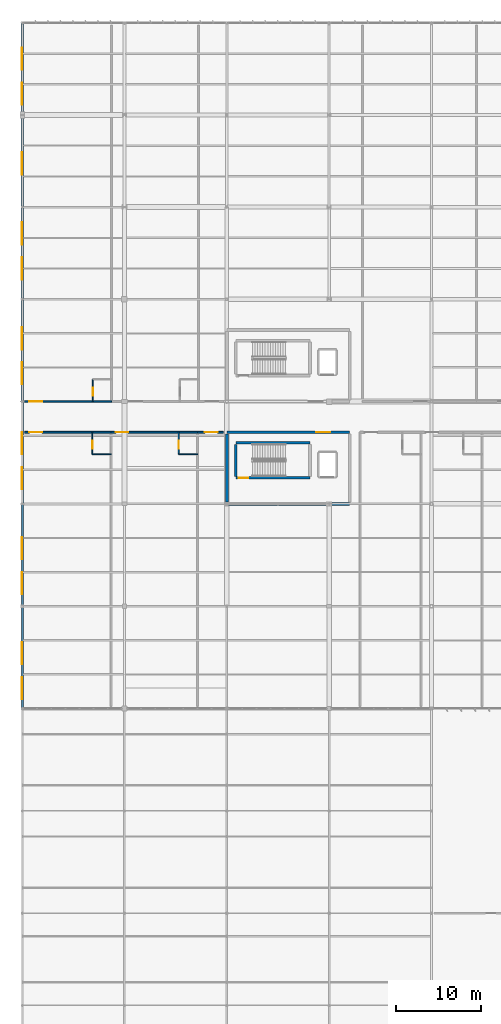
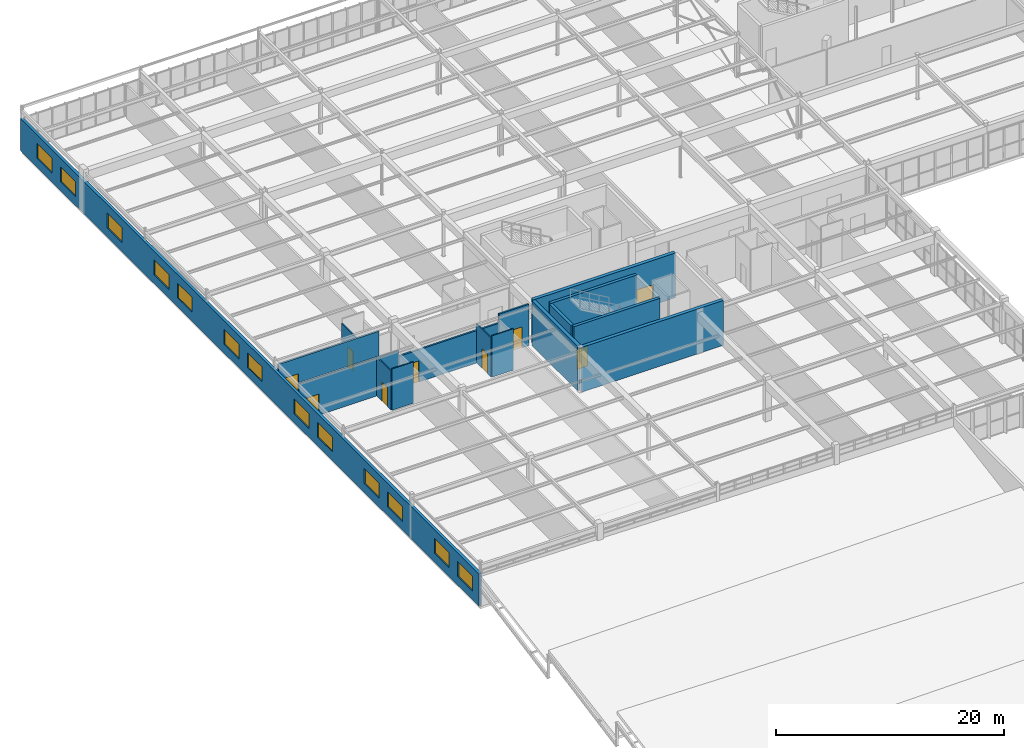
# One storey, part 193 of 226: 16 walls, 13 windows, 9 doors, 22 openings.
"""IFC4 building model written with IfcOpenShell, lengths in metres."""

from ifc_helpers import new_model, si_unit, direction, frame, frame_2d, origin, place, context, subcontext, project, spatial, rectangle, extrude, material, layer, layer_set, type_object, element, fill, save


model = new_model("IFC4")

# Units and contexts
model_context = context("Model", 3, precision=1e-05, world=origin(), true_north=direction((0.0, 1.0)))
body_context = subcontext(model_context, "Body", "Model", "MODEL_VIEW")
ifc_project = project(units=[si_unit("LENGTHUNIT", "METRE"), si_unit("AREAUNIT", "SQUARE_METRE"), si_unit("VOLUMEUNIT", "CUBIC_METRE"), si_unit("PLANEANGLEUNIT", "RADIAN"), si_unit("MASSUNIT", "GRAM", prefix="KILO")], contexts=[model_context])

# Site, building, storey
site_placement = place(None, origin())
site = spatial("IfcSite", under=ifc_project, at=site_placement, CompositionType="ELEMENT")
building_placement = place(site_placement, origin())
building = spatial("IfcBuilding", under=site, at=building_placement, Name="Tarnwether General Hospital", CompositionType="ELEMENT")
storey_placement = place(building_placement, frame((0.0, 0.0, 4.800048828125)))
storey = spatial("IfcBuildingStorey", under=building, at=storey_placement, Name="L01", CompositionType="ELEMENT", Elevation=4.800048828125)

# Wall, openings, windows
ifc_material_1 = material(Name="Precast concrete 40 MPa", Category="concrete")
ifc_layer_1 = layer(ifc_material_1, 0.280029296875)
ifc_layer_set_1 = layer_set([ifc_layer_1], Name="Precast concrete 40 MPa")
wall_type_1 = type_object("IfcWallType", Name="WL-EX280", PredefinedType="STANDARD", material=ifc_layer_set_1)
wall_1_placement = place(storey_placement, frame((0.0, 45.60009765625, 0.0), z_axis=(0.0, 0.0, 1.0), x_axis=(0.0, 1.0, 0.0)))
wall_1 = element("IfcWall", 1, at=wall_1_placement, inside=storey, type_object=wall_type_1, Name="L01 ICU West Facade EW-L01-0306", PredefinedType="STANDARD", context=body_context, shape_type="SweptSolid", body=[
    extrude(rectangle(XDim=80.39990234375, YDim=0.280029296875, at=frame_2d((40.199951171875, 0.0))), origin(), (0.0, 0.0, 1.0), 3.46484375),
])
opening_1_placement = place(wall_1_placement, frame((1.10009765625, 0.0, 0.949951171875)))
opening_1 = element("IfcOpeningElement", 2, at=opening_1_placement, cuts=wall_1, Name="Opening W-25", PredefinedType="OPENING", context=body_context, shape_type="SweptSolid", body=[
    extrude(rectangle(XDim=2.60009765625, YDim=1.60009765625, at=frame_2d((1.300048828125, 0.800048828125))), frame((0.0, 0.14990234375, 0.0), z_axis=(0.0, -1.0, 0.0), x_axis=(1.0, 0.0, 0.0)), (0.0, 0.0, 1.0), 0.300048828125),
])
opening_2_placement = place(wall_1_placement, frame((5.199951171875, 0.0, 0.949951171875)))
opening_2 = element("IfcOpeningElement", 3, at=opening_2_placement, cuts=wall_1, Name="Opening W-25", PredefinedType="OPENING", context=body_context, shape_type="SweptSolid", body=[
    extrude(rectangle(XDim=2.60009765625, YDim=1.60009765625, at=frame_2d((1.300048828125, 0.800048828125))), frame((0.0, 0.14990234375, 0.0), z_axis=(0.0, -1.0, 0.0), x_axis=(1.0, 0.0, 0.0)), (0.0, 0.0, 1.0), 0.300048828125),
])
opening_3_placement = place(wall_1_placement, frame((13.39990234375, 0.0, 0.949951171875)))
opening_3 = element("IfcOpeningElement", 4, at=opening_3_placement, cuts=wall_1, Name="Opening W-25", PredefinedType="OPENING", context=body_context, shape_type="SweptSolid", body=[
    extrude(rectangle(XDim=2.60009765625, YDim=1.60009765625, at=frame_2d((1.300048828125, 0.800048828125))), frame((0.0, 0.14990234375, 0.0), z_axis=(0.0, -1.0, 0.0), x_axis=(1.0, 0.0, 0.0)), (0.0, 0.0, 1.0), 0.300048828125),
])
opening_4_placement = place(wall_1_placement, frame((17.5, 0.0, 0.949951171875)))
opening_4 = element("IfcOpeningElement", 5, at=opening_4_placement, cuts=wall_1, Name="Opening W-25", PredefinedType="OPENING", context=body_context, shape_type="SweptSolid", body=[
    extrude(rectangle(XDim=2.60009765625, YDim=1.60009765625, at=frame_2d((1.300048828125, 0.800048828125))), frame((0.0, 0.14990234375, 0.0), z_axis=(0.0, -1.0, 0.0), x_axis=(1.0, 0.0, 0.0)), (0.0, 0.0, 1.0), 0.300048828125),
])
opening_5_placement = place(wall_1_placement, frame((25.699951171875, 0.0, 0.949951171875)))
opening_5 = element("IfcOpeningElement", 6, at=opening_5_placement, cuts=wall_1, Name="Opening W-25", PredefinedType="OPENING", context=body_context, shape_type="SweptSolid", body=[
    extrude(rectangle(XDim=2.60009765625, YDim=1.60009765625, at=frame_2d((1.300048828125, 0.800048828125))), frame((0.0, 0.14990234375, 0.0), z_axis=(0.0, -1.0, 0.0), x_axis=(1.0, 0.0, 0.0)), (0.0, 0.0, 1.0), 0.300048828125),
])
opening_6_placement = place(wall_1_placement, frame((29.800048828125, 0.0, 0.949951171875)))
opening_6 = element("IfcOpeningElement", 7, at=opening_6_placement, cuts=wall_1, Name="Opening W-25", PredefinedType="OPENING", context=body_context, shape_type="SweptSolid", body=[
    extrude(rectangle(XDim=2.60009765625, YDim=1.60009765625, at=frame_2d((1.300048828125, 0.800048828125))), frame((0.0, 0.14990234375, 0.0), z_axis=(0.0, -1.0, 0.0), x_axis=(1.0, 0.0, 0.0)), (0.0, 0.0, 1.0), 0.300048828125),
])
opening_7_placement = place(wall_1_placement, frame((38.0, 0.0, 0.949951171875)))
opening_7 = element("IfcOpeningElement", 8, at=opening_7_placement, cuts=wall_1, Name="Opening W-25", PredefinedType="OPENING", context=body_context, shape_type="SweptSolid", body=[
    extrude(rectangle(XDim=2.60009765625, YDim=1.60009765625, at=frame_2d((1.300048828125, 0.800048828125))), frame((0.0, 0.14990234375, 0.0), z_axis=(0.0, -1.0, 0.0), x_axis=(1.0, 0.0, 0.0)), (0.0, 0.0, 1.0), 0.300048828125),
])
opening_8_placement = place(wall_1_placement, frame((42.10009765625, 0.0, 0.949951171875)))
opening_8 = element("IfcOpeningElement", 9, at=opening_8_placement, cuts=wall_1, Name="Opening W-25", PredefinedType="OPENING", context=body_context, shape_type="SweptSolid", body=[
    extrude(rectangle(XDim=2.60009765625, YDim=1.60009765625, at=frame_2d((1.300048828125, 0.800048828125))), frame((0.0, 0.14990234375, 0.0), z_axis=(0.0, -1.0, 0.0), x_axis=(1.0, 0.0, 0.0)), (0.0, 0.0, 1.0), 0.300048828125),
])
opening_9_placement = place(wall_1_placement, frame((50.300048828125, 0.0, 0.949951171875)))
opening_9 = element("IfcOpeningElement", 10, at=opening_9_placement, cuts=wall_1, Name="Opening W-25", PredefinedType="OPENING", context=body_context, shape_type="SweptSolid", body=[
    extrude(rectangle(XDim=2.60009765625, YDim=1.60009765625, at=frame_2d((1.300048828125, 0.800048828125))), frame((0.0, 0.14990234375, 0.0), z_axis=(0.0, -1.0, 0.0), x_axis=(1.0, 0.0, 0.0)), (0.0, 0.0, 1.0), 0.300048828125),
])
opening_10_placement = place(wall_1_placement, frame((54.39990234375, 0.0, 0.949951171875)))
opening_10 = element("IfcOpeningElement", 11, at=opening_10_placement, cuts=wall_1, Name="Opening W-25", PredefinedType="OPENING", context=body_context, shape_type="SweptSolid", body=[
    extrude(rectangle(XDim=2.60009765625, YDim=1.60009765625, at=frame_2d((1.300048828125, 0.800048828125))), frame((0.0, 0.14990234375, 0.0), z_axis=(0.0, -1.0, 0.0), x_axis=(1.0, 0.0, 0.0)), (0.0, 0.0, 1.0), 0.300048828125),
])
opening_11_placement = place(wall_1_placement, frame((62.60009765625, 0.0, 0.949951171875)))
opening_11 = element("IfcOpeningElement", 12, at=opening_11_placement, cuts=wall_1, Name="Opening W-25", PredefinedType="OPENING", context=body_context, shape_type="SweptSolid", body=[
    extrude(rectangle(XDim=2.60009765625, YDim=1.60009765625, at=frame_2d((1.300048828125, 0.800048828125))), frame((0.0, 0.14990234375, 0.0), z_axis=(0.0, -1.0, 0.0), x_axis=(1.0, 0.0, 0.0)), (0.0, 0.0, 1.0), 0.300048828125),
])
opening_12_placement = place(wall_1_placement, frame((70.800048828125, 0.0, 0.949951171875)))
opening_12 = element("IfcOpeningElement", 13, at=opening_12_placement, cuts=wall_1, Name="Opening W-25", PredefinedType="OPENING", context=body_context, shape_type="SweptSolid", body=[
    extrude(rectangle(XDim=2.60009765625, YDim=1.60009765625, at=frame_2d((1.300048828125, 0.800048828125))), frame((0.0, 0.14990234375, 0.0), z_axis=(0.0, -1.0, 0.0), x_axis=(1.0, 0.0, 0.0)), (0.0, 0.0, 1.0), 0.300048828125),
])
opening_13_placement = place(wall_1_placement, frame((74.89990234375, 0.0, 0.949951171875)))
opening_13 = element("IfcOpeningElement", 14, at=opening_13_placement, cuts=wall_1, Name="Opening W-25", PredefinedType="OPENING", context=body_context, shape_type="SweptSolid", body=[
    extrude(rectangle(XDim=2.60009765625, YDim=1.60009765625, at=frame_2d((1.300048828125, 0.800048828125))), frame((0.0, 0.14990234375, 0.0), z_axis=(0.0, -1.0, 0.0), x_axis=(1.0, 0.0, 0.0)), (0.0, 0.0, 1.0), 0.300048828125),
])
ifc_material_2 = material(Name="Double glazed low-E glass", Category="glass")
window_type = type_object("IfcWindowType", Name="WN-25", PartitioningType="TRIPLE_PANEL_VERTICAL", PredefinedType="WINDOW", material=ifc_material_2)
window_1_placement = place(opening_1_placement, origin())
window_1 = element("IfcWindow", 15, at=window_1_placement, inside=storey, type_object=window_type, Name="Window WN-L01-0086", OverallHeight=1.60009765625, OverallWidth=2.60009765625, PartitioningType="TRIPLE_PANEL_VERTICAL", PredefinedType="WINDOW", context=body_context, shape_type="SweptSolid", body=[
    extrude(rectangle(XDim=2.60009765625, YDim=1.60009765625, at=frame_2d((1.300048828125, 0.800048828125))), frame((0.0, 0.030029296875, 0.0), z_axis=(0.0, -1.0, 0.0), x_axis=(1.0, 0.0, 0.0)), (0.0, 0.0, 1.0), 0.06005859375),
])
fill(opening_1, window_1)
window_2_placement = place(opening_2_placement, origin())
window_2 = element("IfcWindow", 16, at=window_2_placement, inside=storey, type_object=window_type, Name="Window WN-L01-0087", OverallHeight=1.60009765625, OverallWidth=2.60009765625, PartitioningType="TRIPLE_PANEL_VERTICAL", PredefinedType="WINDOW", context=body_context, shape_type="SweptSolid", body=[
    extrude(rectangle(XDim=2.60009765625, YDim=1.60009765625, at=frame_2d((1.300048828125, 0.800048828125))), frame((0.0, 0.030029296875, 0.0), z_axis=(0.0, -1.0, 0.0), x_axis=(1.0, 0.0, 0.0)), (0.0, 0.0, 1.0), 0.06005859375),
])
fill(opening_2, window_2)
window_3_placement = place(opening_3_placement, origin())
window_3 = element("IfcWindow", 17, at=window_3_placement, inside=storey, type_object=window_type, Name="Window WN-L01-0088", OverallHeight=1.60009765625, OverallWidth=2.60009765625, PartitioningType="TRIPLE_PANEL_VERTICAL", PredefinedType="WINDOW", context=body_context, shape_type="SweptSolid", body=[
    extrude(rectangle(XDim=2.60009765625, YDim=1.60009765625, at=frame_2d((1.300048828125, 0.800048828125))), frame((0.0, 0.030029296875, 0.0), z_axis=(0.0, -1.0, 0.0), x_axis=(1.0, 0.0, 0.0)), (0.0, 0.0, 1.0), 0.06005859375),
])
fill(opening_3, window_3)
window_4_placement = place(opening_4_placement, origin())
window_4 = element("IfcWindow", 18, at=window_4_placement, inside=storey, type_object=window_type, Name="Window WN-L01-0089", OverallHeight=1.60009765625, OverallWidth=2.60009765625, PartitioningType="TRIPLE_PANEL_VERTICAL", PredefinedType="WINDOW", context=body_context, shape_type="SweptSolid", body=[
    extrude(rectangle(XDim=2.60009765625, YDim=1.60009765625, at=frame_2d((1.300048828125, 0.800048828125))), frame((0.0, 0.030029296875, 0.0), z_axis=(0.0, -1.0, 0.0), x_axis=(1.0, 0.0, 0.0)), (0.0, 0.0, 1.0), 0.06005859375),
])
fill(opening_4, window_4)
window_5_placement = place(opening_5_placement, origin())
window_5 = element("IfcWindow", 19, at=window_5_placement, inside=storey, type_object=window_type, Name="Window WN-L01-0090", OverallHeight=1.60009765625, OverallWidth=2.60009765625, PartitioningType="TRIPLE_PANEL_VERTICAL", PredefinedType="WINDOW", context=body_context, shape_type="SweptSolid", body=[
    extrude(rectangle(XDim=2.60009765625, YDim=1.60009765625, at=frame_2d((1.300048828125, 0.800048828125))), frame((0.0, 0.030029296875, 0.0), z_axis=(0.0, -1.0, 0.0), x_axis=(1.0, 0.0, 0.0)), (0.0, 0.0, 1.0), 0.06005859375),
])
fill(opening_5, window_5)
window_6_placement = place(opening_6_placement, origin())
window_6 = element("IfcWindow", 20, at=window_6_placement, inside=storey, type_object=window_type, Name="Window WN-L01-0091", OverallHeight=1.60009765625, OverallWidth=2.60009765625, PartitioningType="TRIPLE_PANEL_VERTICAL", PredefinedType="WINDOW", context=body_context, shape_type="SweptSolid", body=[
    extrude(rectangle(XDim=2.60009765625, YDim=1.60009765625, at=frame_2d((1.300048828125, 0.800048828125))), frame((0.0, 0.030029296875, 0.0), z_axis=(0.0, -1.0, 0.0), x_axis=(1.0, 0.0, 0.0)), (0.0, 0.0, 1.0), 0.06005859375),
])
fill(opening_6, window_6)
window_7_placement = place(opening_7_placement, origin())
window_7 = element("IfcWindow", 21, at=window_7_placement, inside=storey, type_object=window_type, Name="Window WN-L01-0092", OverallHeight=1.60009765625, OverallWidth=2.60009765625, PartitioningType="TRIPLE_PANEL_VERTICAL", PredefinedType="WINDOW", context=body_context, shape_type="SweptSolid", body=[
    extrude(rectangle(XDim=2.60009765625, YDim=1.60009765625, at=frame_2d((1.300048828125, 0.800048828125))), frame((0.0, 0.030029296875, 0.0), z_axis=(0.0, -1.0, 0.0), x_axis=(1.0, 0.0, 0.0)), (0.0, 0.0, 1.0), 0.06005859375),
])
fill(opening_7, window_7)
window_8_placement = place(opening_8_placement, origin())
window_8 = element("IfcWindow", 22, at=window_8_placement, inside=storey, type_object=window_type, Name="Window WN-L01-0093", OverallHeight=1.60009765625, OverallWidth=2.60009765625, PartitioningType="TRIPLE_PANEL_VERTICAL", PredefinedType="WINDOW", context=body_context, shape_type="SweptSolid", body=[
    extrude(rectangle(XDim=2.60009765625, YDim=1.60009765625, at=frame_2d((1.300048828125, 0.800048828125))), frame((0.0, 0.030029296875, 0.0), z_axis=(0.0, -1.0, 0.0), x_axis=(1.0, 0.0, 0.0)), (0.0, 0.0, 1.0), 0.06005859375),
])
fill(opening_8, window_8)
window_9_placement = place(opening_9_placement, origin())
window_9 = element("IfcWindow", 23, at=window_9_placement, inside=storey, type_object=window_type, Name="Window WN-L01-0094", OverallHeight=1.60009765625, OverallWidth=2.60009765625, PartitioningType="TRIPLE_PANEL_VERTICAL", PredefinedType="WINDOW", context=body_context, shape_type="SweptSolid", body=[
    extrude(rectangle(XDim=2.60009765625, YDim=1.60009765625, at=frame_2d((1.300048828125, 0.800048828125))), frame((0.0, 0.030029296875, 0.0), z_axis=(0.0, -1.0, 0.0), x_axis=(1.0, 0.0, 0.0)), (0.0, 0.0, 1.0), 0.06005859375),
])
fill(opening_9, window_9)
window_10_placement = place(opening_10_placement, origin())
window_10 = element("IfcWindow", 24, at=window_10_placement, inside=storey, type_object=window_type, Name="Window WN-L01-0095", OverallHeight=1.60009765625, OverallWidth=2.60009765625, PartitioningType="TRIPLE_PANEL_VERTICAL", PredefinedType="WINDOW", context=body_context, shape_type="SweptSolid", body=[
    extrude(rectangle(XDim=2.60009765625, YDim=1.60009765625, at=frame_2d((1.300048828125, 0.800048828125))), frame((0.0, 0.030029296875, 0.0), z_axis=(0.0, -1.0, 0.0), x_axis=(1.0, 0.0, 0.0)), (0.0, 0.0, 1.0), 0.06005859375),
])
fill(opening_10, window_10)
window_11_placement = place(opening_11_placement, origin())
window_11 = element("IfcWindow", 25, at=window_11_placement, inside=storey, type_object=window_type, Name="Window WN-L01-0096", OverallHeight=1.60009765625, OverallWidth=2.60009765625, PartitioningType="TRIPLE_PANEL_VERTICAL", PredefinedType="WINDOW", context=body_context, shape_type="SweptSolid", body=[
    extrude(rectangle(XDim=2.60009765625, YDim=1.60009765625, at=frame_2d((1.300048828125, 0.800048828125))), frame((0.0, 0.030029296875, 0.0), z_axis=(0.0, -1.0, 0.0), x_axis=(1.0, 0.0, 0.0)), (0.0, 0.0, 1.0), 0.06005859375),
])
fill(opening_11, window_11)
window_12_placement = place(opening_12_placement, origin())
window_12 = element("IfcWindow", 26, at=window_12_placement, inside=storey, type_object=window_type, Name="Window WN-L01-0097", OverallHeight=1.60009765625, OverallWidth=2.60009765625, PartitioningType="TRIPLE_PANEL_VERTICAL", PredefinedType="WINDOW", context=body_context, shape_type="SweptSolid", body=[
    extrude(rectangle(XDim=2.60009765625, YDim=1.60009765625, at=frame_2d((1.300048828125, 0.800048828125))), frame((0.0, 0.030029296875, 0.0), z_axis=(0.0, -1.0, 0.0), x_axis=(1.0, 0.0, 0.0)), (0.0, 0.0, 1.0), 0.06005859375),
])
fill(opening_12, window_12)
window_13_placement = place(opening_13_placement, origin())
window_13 = element("IfcWindow", 27, at=window_13_placement, inside=storey, type_object=window_type, Name="Window WN-L01-0098", OverallHeight=1.60009765625, OverallWidth=2.60009765625, PartitioningType="TRIPLE_PANEL_VERTICAL", PredefinedType="WINDOW", context=body_context, shape_type="SweptSolid", body=[
    extrude(rectangle(XDim=2.60009765625, YDim=1.60009765625, at=frame_2d((1.300048828125, 0.800048828125))), frame((0.0, 0.030029296875, 0.0), z_axis=(0.0, -1.0, 0.0), x_axis=(1.0, 0.0, 0.0)), (0.0, 0.0, 1.0), 0.06005859375),
])
fill(opening_13, window_13)

# Wall, opening, door
ifc_material_3 = material(Name="Gypsum plasterboard")
ifc_layer_2 = layer(ifc_material_3, 0.1201171875)
ifc_layer_set_2 = layer_set([ifc_layer_2], Name="Gypsum plasterboard")
wall_type_2 = type_object("IfcWallType", Name="WL-PT120", PredefinedType="PARTITIONING", material=ifc_layer_set_2)
wall_2_placement = place(storey_placement, frame((8.23193359375, 75.39990234375, 0.0), z_axis=(0.0, 0.0, 1.0), x_axis=(0.0, 1.0, 0.0)))
wall_2 = element("IfcWall", 28, at=wall_2_placement, inside=storey, type_object=wall_type_2, Name="Interior Partition PT-L01-0163", PredefinedType="PARTITIONING", context=body_context, shape_type="SweptSolid", body=[
    extrude(rectangle(XDim=2.60009765625, YDim=0.1201171875, at=frame_2d((1.300048828125, 0.0))), origin(), (0.0, 0.0, 1.0), 4.158935546875),
])
opening_14_placement = place(wall_2_placement, frame((0.64990234375, 0.0, 0.0)))
opening_14 = element("IfcOpeningElement", 29, at=opening_14_placement, cuts=wall_2, Name="Opening D-10", PredefinedType="OPENING", context=body_context, shape_type="SweptSolid", body=[
    extrude(rectangle(XDim=0.9599609375, YDim=2.06005859375, at=frame_2d((0.47998046875, 1.030029296875))), frame((0.0, 0.070068359375, 0.0), z_axis=(0.0, -1.0, 0.0), x_axis=(1.0, 0.0, 0.0)), (0.0, 0.0, 1.0), 0.14013671875),
])
ifc_material_4 = material(Name="Anodised aluminium", Category="aluminium")
door_type_1 = type_object("IfcDoorType", Name="DR-IN10", OperationType="NOTDEFINED", PredefinedType="DOOR", material=ifc_material_4)
door_1_placement = place(opening_14_placement, origin())
door_1 = element("IfcDoor", 30, at=door_1_placement, inside=storey, type_object=door_type_1, Name="Interior Door DR-L01-0091", OperationType="SINGLE_SWING_LEFT", OverallHeight=2.06005859375, OverallWidth=0.9599609375, PredefinedType="DOOR", context=body_context, shape_type="SweptSolid", body=[
    extrude(rectangle(XDim=0.9599609375, YDim=2.06005859375, at=frame_2d((0.47998046875, 1.030029296875))), frame((0.0, 0.02490234375, 0.0), z_axis=(0.0, -1.0, 0.0), x_axis=(1.0, 0.0, 0.0)), (0.0, 0.0, 1.0), 0.050048828125),
])
fill(opening_14, door_1)

# Wall
wall_3_placement = place(storey_placement, frame((8.23193359375, 75.39990234375, 0.0), z_axis=(0.0, 0.0, 1.0), x_axis=(1.0, 0.0, 0.0)))
element("IfcWall", 31, at=wall_3_placement, inside=storey, type_object=wall_type_2, Name="Interior Partition PT-L01-0164", PredefinedType="PARTITIONING", context=body_context, shape_type="SweptSolid", body=[
    extrude(rectangle(XDim=2.199951171875, YDim=0.1201171875, at=frame_2d((1.10009765625, 0.0))), origin(), (0.0, 0.0, 1.0), 4.429931640625),
])

# Wall, opening, door
wall_4_placement = place(storey_placement, frame((18.364013671875, 75.39990234375, 0.0), z_axis=(0.0, 0.0, 1.0), x_axis=(0.0, 1.0, 0.0)))
wall_4 = element("IfcWall", 32, at=wall_4_placement, inside=storey, type_object=wall_type_2, Name="Interior Partition PT-L01-0167", PredefinedType="PARTITIONING", context=body_context, shape_type="SweptSolid", body=[
    extrude(rectangle(XDim=2.60009765625, YDim=0.1201171875, at=frame_2d((1.300048828125, 0.0))), origin(), (0.0, 0.0, 1.0), 4.162841796875),
])
opening_15_placement = place(wall_4_placement, frame((0.64990234375, 0.0, 0.0)))
opening_15 = element("IfcOpeningElement", 33, at=opening_15_placement, cuts=wall_4, Name="Opening D-10", PredefinedType="OPENING", context=body_context, shape_type="SweptSolid", body=[
    extrude(rectangle(XDim=0.9599609375, YDim=2.06005859375, at=frame_2d((0.47998046875, 1.030029296875))), frame((0.0, 0.070068359375, 0.0), z_axis=(0.0, -1.0, 0.0), x_axis=(1.0, 0.0, 0.0)), (0.0, 0.0, 1.0), 0.14013671875),
])
door_2_placement = place(opening_15_placement, origin())
door_2 = element("IfcDoor", 34, at=door_2_placement, inside=storey, type_object=door_type_1, Name="Interior Door DR-L01-0093", OperationType="SINGLE_SWING_LEFT", OverallHeight=2.06005859375, OverallWidth=0.9599609375, PredefinedType="DOOR", context=body_context, shape_type="SweptSolid", body=[
    extrude(rectangle(XDim=0.9599609375, YDim=2.06005859375, at=frame_2d((0.47998046875, 1.030029296875))), frame((0.0, 0.02490234375, 0.0), z_axis=(0.0, -1.0, 0.0), x_axis=(1.0, 0.0, 0.0)), (0.0, 0.0, 1.0), 0.050048828125),
])
fill(opening_15, door_2)

# Wall
wall_5_placement = place(storey_placement, frame((18.364013671875, 75.39990234375, 0.0), z_axis=(0.0, 0.0, 1.0), x_axis=(1.0, 0.0, 0.0)))
element("IfcWall", 35, at=wall_5_placement, inside=storey, type_object=wall_type_2, Name="Interior Partition PT-L01-0168", PredefinedType="PARTITIONING", context=body_context, shape_type="SweptSolid", body=[
    extrude(rectangle(XDim=2.199951171875, YDim=0.1201171875, at=frame_2d((1.10009765625, 0.0))), origin(), (0.0, 0.0, 1.0), 4.429931640625),
])

# Wall, opening, door
wall_6_placement = place(storey_placement, frame((8.300048828125, 81.60009765625, 0.0), z_axis=(0.0, 0.0, 1.0), x_axis=(0.0, 1.0, 0.0)))
wall_6 = element("IfcWall", 36, at=wall_6_placement, inside=storey, type_object=wall_type_2, Name="Interior Partition PT-L01-0182", PredefinedType="PARTITIONING", context=body_context, shape_type="SweptSolid", body=[
    extrude(rectangle(XDim=2.599853515625, YDim=0.1201171875, at=frame_2d((1.2998046875, 0.0))), origin(), (0.0, 0.0, 1.0), 3.954833984375),
])
opening_16_placement = place(wall_6_placement, frame((0.64990234375, 0.0, 0.0)))
opening_16 = element("IfcOpeningElement", 37, at=opening_16_placement, cuts=wall_6, Name="Opening D-10", PredefinedType="OPENING", context=body_context, shape_type="SweptSolid", body=[
    extrude(rectangle(XDim=0.9599609375, YDim=2.06005859375, at=frame_2d((0.47998046875, 1.030029296875))), frame((0.0, 0.070068359375, 0.0), z_axis=(0.0, -1.0, 0.0), x_axis=(1.0, 0.0, 0.0)), (0.0, 0.0, 1.0), 0.14013671875),
])
door_3_placement = place(opening_16_placement, origin())
door_3 = element("IfcDoor", 38, at=door_3_placement, inside=storey, type_object=door_type_1, Name="Interior Door DR-L01-0101", OperationType="SINGLE_SWING_LEFT", OverallHeight=2.06005859375, OverallWidth=0.9599609375, PredefinedType="DOOR", context=body_context, shape_type="SweptSolid", body=[
    extrude(rectangle(XDim=0.9599609375, YDim=2.06005859375, at=frame_2d((0.47998046875, 1.030029296875))), frame((0.0, 0.02490234375, 0.0), z_axis=(0.0, -1.0, 0.0), x_axis=(1.0, 0.0, 0.0)), (0.0, 0.0, 1.0), 0.050048828125),
])
fill(opening_16, door_3)

ifc_material_5 = material(Name="Gypsum plasterboard")
ifc_layer_3 = layer(ifc_material_5, 0.179931640625)
ifc_layer_set_3 = layer_set([ifc_layer_3], Name="Gypsum plasterboard")
wall_type_3 = type_object("IfcWallType", Name="WL-PT180", PredefinedType="PARTITIONING", material=ifc_layer_set_3)
wall_7_placement = place(storey_placement, frame((0.300048828125, 78.0, 0.0), z_axis=(0.0, 0.0, 1.0), x_axis=(1.0, 0.0, 0.0)))
wall_7 = element("IfcWall", 39, at=wall_7_placement, inside=storey, type_object=wall_type_3, Name="Interior Partition PT-L01-0165", PredefinedType="PARTITIONING", context=body_context, shape_type="SweptSolid", body=[
    extrude(rectangle(XDim=10.1318359375, YDim=0.179931640625, at=frame_2d((5.06591796875, 0.0))), origin(), (0.0, 0.0, 1.0), 4.06494140625),
])
opening_17_placement = place(wall_7_placement, frame((0.550048828125, 0.0, 0.0)))
opening_17 = element("IfcOpeningElement", 40, at=opening_17_placement, cuts=wall_7, Name="Opening SD-03", PredefinedType="OPENING", context=body_context, shape_type="SweptSolid", body=[
    extrude(rectangle(XDim=1.47998046875, YDim=2.260009765625, at=frame_2d((0.739990234375, 1.1298828125))), frame((0.0, 0.10009765625, 0.0), z_axis=(0.0, -1.0, 0.0), x_axis=(1.0, 0.0, 0.0)), (0.0, 0.0, 1.0), 0.199951171875),
])
ifc_material_6 = material(Name="Anodised aluminium", Category="aluminium")
door_type_2 = type_object("IfcDoorType", Name="DR-OR03", OperationType="NOTDEFINED", PredefinedType="DOOR", material=ifc_material_6)
door_4_placement = place(opening_17_placement, origin())
door_4 = element("IfcDoor", 41, at=door_4_placement, inside=storey, type_object=door_type_2, Name="Interior Door DR-L01-0092", OperationType="SLIDING_TO_LEFT", OverallHeight=2.260009765625, OverallWidth=1.47998046875, PredefinedType="DOOR", context=body_context, shape_type="SweptSolid", body=[
    extrude(rectangle(XDim=1.47998046875, YDim=2.260009765625, at=frame_2d((0.739990234375, 1.1298828125))), frame((0.0, 0.02490234375, 0.0), z_axis=(0.0, -1.0, 0.0), x_axis=(1.0, 0.0, 0.0)), (0.0, 0.0, 1.0), 0.050048828125),
])
fill(opening_17, door_4)

wall_8_placement = place(storey_placement, frame((10.431884765625, 78.0, 0.0), z_axis=(0.0, 0.0, 1.0), x_axis=(1.0, 0.0, 0.0)))
wall_8 = element("IfcWall", 42, at=wall_8_placement, inside=storey, type_object=wall_type_3, Name="Interior Partition PT-L01-0169", PredefinedType="PARTITIONING", context=body_context, shape_type="SweptSolid", body=[
    extrude(rectangle(XDim=10.132080078125, YDim=0.179931640625, at=frame_2d((5.06591796875, 0.0))), origin(), (0.0, 0.0, 1.0), 3.46484375),
])
opening_18_placement = place(wall_8_placement, frame((0.550048828125, 0.0, 0.0)))
opening_18 = element("IfcOpeningElement", 43, at=opening_18_placement, cuts=wall_8, Name="Opening SD-03", PredefinedType="OPENING", context=body_context, shape_type="SweptSolid", body=[
    extrude(rectangle(XDim=1.47998046875, YDim=2.260009765625, at=frame_2d((0.739990234375, 1.1298828125))), frame((0.0, 0.10009765625, 0.0), z_axis=(0.0, -1.0, 0.0), x_axis=(1.0, 0.0, 0.0)), (0.0, 0.0, 1.0), 0.199951171875),
])
door_5_placement = place(opening_18_placement, origin())
door_5 = element("IfcDoor", 44, at=door_5_placement, inside=storey, type_object=door_type_2, Name="Interior Door DR-L01-0094", OperationType="SLIDING_TO_LEFT", OverallHeight=2.260009765625, OverallWidth=1.47998046875, PredefinedType="DOOR", context=body_context, shape_type="SweptSolid", body=[
    extrude(rectangle(XDim=1.47998046875, YDim=2.260009765625, at=frame_2d((0.739990234375, 1.1298828125))), frame((0.0, 0.02490234375, 0.0), z_axis=(0.0, -1.0, 0.0), x_axis=(1.0, 0.0, 0.0)), (0.0, 0.0, 1.0), 0.050048828125),
])
fill(opening_18, door_5)

wall_9_placement = place(storey_placement, frame((20.56396484375, 78.0, 0.0), z_axis=(0.0, 0.0, 1.0), x_axis=(1.0, 0.0, 0.0)))
wall_9 = element("IfcWall", 45, at=wall_9_placement, inside=storey, type_object=wall_type_3, Name="Interior Partition PT-L01-0171", PredefinedType="PARTITIONING", context=body_context, shape_type="SweptSolid", body=[
    extrude(rectangle(XDim=3.0361328125, YDim=0.179931640625, at=frame_2d((1.51806640625, 0.0))), origin(), (0.0, 0.0, 1.0), 4.429931640625),
])
opening_19_placement = place(wall_9_placement, frame((0.867919921875, 0.0, 0.0)))
opening_19 = element("IfcOpeningElement", 46, at=opening_19_placement, cuts=wall_9, Name="Opening SD-03", PredefinedType="OPENING", context=body_context, shape_type="SweptSolid", body=[
    extrude(rectangle(XDim=1.47998046875, YDim=2.260009765625, at=frame_2d((0.739990234375, 1.1298828125))), frame((0.0, 0.10009765625, 0.0), z_axis=(0.0, -1.0, 0.0), x_axis=(1.0, 0.0, 0.0)), (0.0, 0.0, 1.0), 0.199951171875),
])
door_6_placement = place(opening_19_placement, origin())
door_6 = element("IfcDoor", 47, at=door_6_placement, inside=storey, type_object=door_type_2, Name="Interior Door DR-L01-0095", OperationType="SLIDING_TO_LEFT", OverallHeight=2.260009765625, OverallWidth=1.47998046875, PredefinedType="DOOR", context=body_context, shape_type="SweptSolid", body=[
    extrude(rectangle(XDim=1.47998046875, YDim=2.260009765625, at=frame_2d((0.739990234375, 1.1298828125))), frame((0.0, 0.02490234375, 0.0), z_axis=(0.0, -1.0, 0.0), x_axis=(1.0, 0.0, 0.0)), (0.0, 0.0, 1.0), 0.050048828125),
])
fill(opening_19, door_6)

wall_10_placement = place(storey_placement, frame((0.300048828125, 81.60009765625, 0.0), z_axis=(0.0, 0.0, 1.0), x_axis=(1.0, 0.0, 0.0)))
wall_10 = element("IfcWall", 48, at=wall_10_placement, inside=storey, type_object=wall_type_3, Name="Interior Partition PT-L01-0184", PredefinedType="PARTITIONING", context=body_context, shape_type="SweptSolid", body=[
    extrude(rectangle(XDim=10.199951171875, YDim=0.179931640625, at=frame_2d((5.10009765625, 0.0))), origin(), (0.0, 0.0, 1.0), 3.954833984375),
])
opening_20_placement = place(wall_10_placement, frame((0.550048828125, 0.0, 0.0)))
opening_20 = element("IfcOpeningElement", 49, at=opening_20_placement, cuts=wall_10, Name="Opening SD-03", PredefinedType="OPENING", context=body_context, shape_type="SweptSolid", body=[
    extrude(rectangle(XDim=1.47998046875, YDim=2.260009765625, at=frame_2d((0.739990234375, 1.1298828125))), frame((0.0, 0.10009765625, 0.0), z_axis=(0.0, -1.0, 0.0), x_axis=(1.0, 0.0, 0.0)), (0.0, 0.0, 1.0), 0.199951171875),
])
door_7_placement = place(opening_20_placement, origin())
door_7 = element("IfcDoor", 50, at=door_7_placement, inside=storey, type_object=door_type_2, Name="Interior Door DR-L01-0102", OperationType="SLIDING_TO_LEFT", OverallHeight=2.260009765625, OverallWidth=1.47998046875, PredefinedType="DOOR", context=body_context, shape_type="SweptSolid", body=[
    extrude(rectangle(XDim=1.47998046875, YDim=2.260009765625, at=frame_2d((0.739990234375, 1.1298828125))), frame((0.0, 0.02490234375, 0.0), z_axis=(0.0, -1.0, 0.0), x_axis=(1.0, 0.0, 0.0)), (0.0, 0.0, 1.0), 0.050048828125),
])
fill(opening_20, door_7)

ifc_material_7 = material(Name="Concrete 50 MPa", Category="concrete")
ifc_layer_4 = layer(ifc_material_7, 0.300048828125)
ifc_layer_set_4 = layer_set([ifc_layer_4], Name="Concrete 50 MPa")
wall_type_4 = type_object("IfcWallType", Name="WL-SW300", PredefinedType="SHEAR", material=ifc_layer_set_4)
wall_11_placement = place(storey_placement, frame((25.050048828125, 72.64990234375, 0.0), z_axis=(0.0, 0.0, 1.0), x_axis=(1.0, 0.0, 0.0)))
wall_11 = element("IfcWall", 51, at=wall_11_placement, inside=storey, type_object=wall_type_4, Name="Stairwell Shear Wall STW-ST-03-L01-B", PredefinedType="SHEAR", context=body_context, shape_type="SweptSolid", body=[
    extrude(rectangle(XDim=8.699951171875, YDim=0.300048828125, at=frame_2d((4.35009765625, 0.0))), origin(), (0.0, 0.0, 1.0), 4.800048828125),
])
opening_21_placement = place(wall_11_placement, frame((0.35009765625, 0.0, 0.0)))
opening_21 = element("IfcOpeningElement", 52, at=opening_21_placement, cuts=wall_11, Name="Opening FD-06", PredefinedType="OPENING", context=body_context, shape_type="SweptSolid", body=[
    extrude(rectangle(XDim=1.10009765625, YDim=2.14990234375, at=frame_2d((0.550048828125, 1.074951171875))), frame((0.0, 0.16015625, 0.0), z_axis=(0.0, -1.0, 0.0), x_axis=(1.0, 0.0, 0.0)), (0.0, 0.0, 1.0), 0.320068359375),
])
ifc_material_8 = material(Name="Anodised aluminium", Category="aluminium")
door_type_3 = type_object("IfcDoorType", Name="DR-FD06", OperationType="NOTDEFINED", PredefinedType="DOOR", material=ifc_material_8)
door_8_placement = place(opening_21_placement, origin())
door_8 = element("IfcDoor", 53, at=door_8_placement, inside=storey, type_object=door_type_3, Name="Stairwell ST-03 Safe-Path Fire Door L01", OperationType="SINGLE_SWING_LEFT", OverallHeight=2.14990234375, OverallWidth=1.10009765625, PredefinedType="DOOR", context=body_context, shape_type="SweptSolid", body=[
    extrude(rectangle(XDim=1.10009765625, YDim=2.14990234375, at=frame_2d((0.550048828125, 1.074951171875))), frame((0.0, 0.02490234375, 0.0), z_axis=(0.0, -1.0, 0.0), x_axis=(1.0, 0.0, 0.0)), (0.0, 0.0, 1.0), 0.050048828125),
])
fill(opening_21, door_8)

# Walls
wall_12_placement = place(storey_placement, frame((33.75, 76.75, 0.0), z_axis=(0.0, 0.0, 1.0), x_axis=(-1.0, 0.0, 0.0)))
element("IfcWall", 54, at=wall_12_placement, inside=storey, type_object=wall_type_4, Name="Stairwell Shear Wall STW-ST-03-L01-N", PredefinedType="SHEAR", context=body_context, shape_type="SweptSolid", body=[
    extrude(rectangle(XDim=8.699951171875, YDim=0.300048828125, at=frame_2d((4.35009765625, 0.0))), origin(), (0.0, 0.0, 1.0), 4.800048828125),
])
wall_13_placement = place(storey_placement, frame((25.050048828125, 72.820068359375, 0.0), z_axis=(0.0, 0.0, 1.0), x_axis=(0.0, 1.0, 0.0)))
element("IfcWall", 55, at=wall_13_placement, inside=storey, type_object=wall_type_4, Name="Stairwell Shear Wall STW-ST-03-L01-L", PredefinedType="SHEAR", context=body_context, shape_type="SweptSolid", body=[
    extrude(rectangle(XDim=3.760009765625, YDim=0.300048828125, at=frame_2d((1.8798828125, 0.0))), origin(), (0.0, 0.0, 1.0), 4.800048828125),
])

# Wall, opening, door
ifc_material_9 = material(Name="Concrete 50 MPa", Category="concrete")
ifc_layer_5 = layer(ifc_material_9, 0.35009765625)
ifc_layer_set_5 = layer_set([ifc_layer_5], Name="Concrete 50 MPa")
wall_type_5 = type_object("IfcWallType", Name="WL-SW350", PredefinedType="SHEAR", material=ifc_layer_set_5)
wall_14_placement = place(storey_placement, frame((24.0, 78.0, 0.0), z_axis=(0.0, 0.0, 1.0), x_axis=(1.0, 0.0, 0.0)))
wall_14 = element("IfcWall", 56, at=wall_14_placement, inside=storey, type_object=wall_type_5, Name="Core Shear Wall CWALL-K3-L01-N", PredefinedType="SHEAR", context=body_context, shape_type="SweptSolid", body=[
    extrude(rectangle(XDim=14.39990234375, YDim=0.35009765625, at=frame_2d((7.199951171875, 0.0))), origin(), (0.0, 0.0, 1.0), 4.800048828125),
])
opening_22_placement = place(wall_14_placement, frame((10.5, 0.0, 0.0)))
opening_22 = element("IfcOpeningElement", 57, at=opening_22_placement, cuts=wall_14, Name="Opening FD-01", PredefinedType="OPENING", context=body_context, shape_type="SweptSolid", body=[
    extrude(rectangle(XDim=1.639892578125, YDim=2.199951171875, at=frame_2d((0.81982421875, 1.10009765625))), frame((0.0, 0.18505859375, 0.0), z_axis=(0.0, -1.0, 0.0), x_axis=(1.0, 0.0, 0.0)), (0.0, 0.0, 1.0), 0.3701171875),
])
ifc_material_10 = material(Name="Anodised aluminium", Category="aluminium")
door_type_4 = type_object("IfcDoorType", Name="DR-FD01", OperationType="NOTDEFINED", PredefinedType="DOOR", material=ifc_material_10)
door_9_placement = place(opening_22_placement, origin())
door_9 = element("IfcDoor", 58, at=door_9_placement, inside=storey, type_object=door_type_4, Name="Core K3 North Corridor Fire Door L01", OperationType="DOUBLE_DOOR_SINGLE_SWING", OverallHeight=2.199951171875, OverallWidth=1.639892578125, PredefinedType="DOOR", context=body_context, shape_type="SweptSolid", body=[
    extrude(rectangle(XDim=1.639892578125, YDim=2.199951171875, at=frame_2d((0.81982421875, 1.10009765625))), frame((0.0, 0.02490234375, 0.0), z_axis=(0.0, -1.0, 0.0), x_axis=(1.0, 0.0, 0.0)), (0.0, 0.0, 1.0), 0.050048828125),
])
fill(opening_22, door_9)

# Walls
wall_15_placement = place(storey_placement, frame((38.39990234375, 69.60009765625, 0.0), z_axis=(0.0, 0.0, 1.0), x_axis=(-1.0, 0.0, 0.0)))
element("IfcWall", 59, at=wall_15_placement, inside=storey, type_object=wall_type_5, Name="Core Shear Wall CWALL-K3-L01-S", PredefinedType="SHEAR", context=body_context, shape_type="SweptSolid", body=[
    extrude(rectangle(XDim=14.39990234375, YDim=0.35009765625, at=frame_2d((7.199951171875, 0.0))), origin(), (0.0, 0.0, 1.0), 4.800048828125),
])
wall_16_placement = place(storey_placement, frame((24.0, 69.800048828125, 0.0), z_axis=(0.0, 0.0, 1.0), x_axis=(0.0, 1.0, 0.0)))
element("IfcWall", 60, at=wall_16_placement, inside=storey, type_object=wall_type_5, Name="Core Shear Wall CWALL-K3-L01-W", PredefinedType="SHEAR", context=body_context, shape_type="SweptSolid", body=[
    extrude(rectangle(XDim=8.0, YDim=0.35009765625, at=frame_2d((4.0, 0.0))), origin(), (0.0, 0.0, 1.0), 4.800048828125),
])

save(model, "model.ifc")
